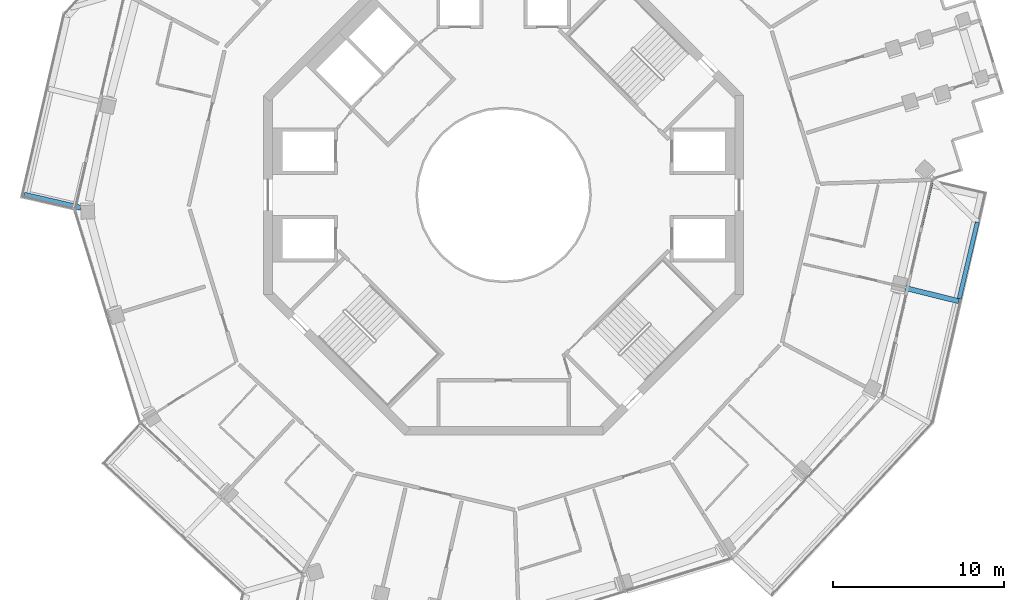
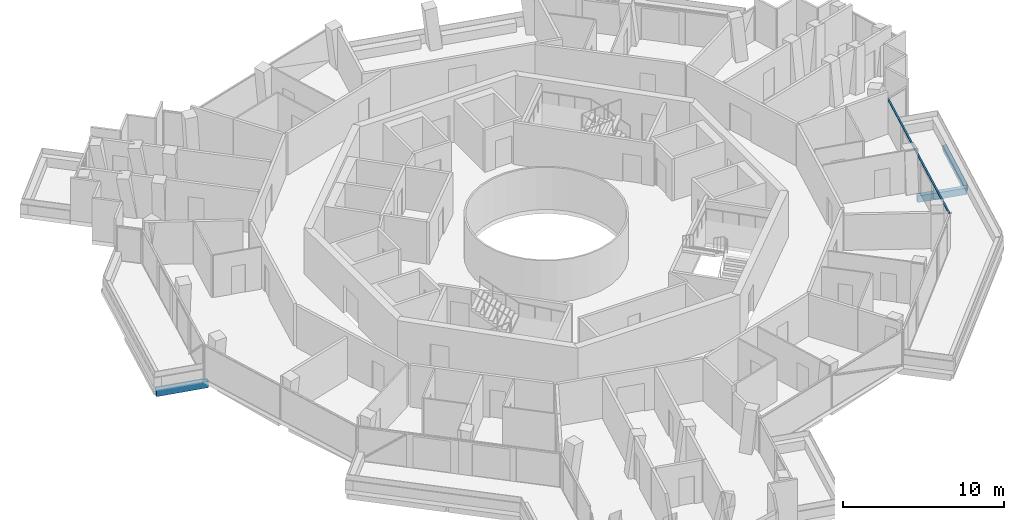
# One storey, part 5 of 21: 3 beams, 1 member, 1 element without a shape of its own.
"""IFC4 building model written with IfcOpenShell, lengths in metres."""

from ifc_helpers import new_model, si_unit, direction, frame, origin, origin_2d, place, context, subcontext, project, spatial, rectangle, extrude, material, layer, layer_set, material_profile, profile_set, type_object, element, aggregate, save


model = new_model("IFC4")

# Units and contexts
model_context = context("Model", 3, precision=1e-05, world=origin(), true_north=direction((0.0, 1.0)))
body_context = subcontext(model_context, "Body", "Model", "MODEL_VIEW")
ifc_project = project(units=[si_unit("LENGTHUNIT", "METRE"), si_unit("AREAUNIT", "SQUARE_METRE"), si_unit("VOLUMEUNIT", "CUBIC_METRE"), si_unit("PLANEANGLEUNIT", "RADIAN"), si_unit("MASSUNIT", "GRAM", prefix="KILO")], contexts=[model_context])

# Site, building, storey
site_placement = place(None, origin())
site = spatial("IfcSite", under=ifc_project, at=site_placement, CompositionType="ELEMENT")
building_placement = place(site_placement, origin())
building = spatial("IfcBuilding", under=site, at=building_placement, Name="Verdalira Terraces Hotel", CompositionType="ELEMENT")
storey_placement = place(building_placement, frame((0.0, 0.0, 227.0)))
storey = spatial("IfcBuildingStorey", under=building, at=storey_placement, Name="L55", CompositionType="ELEMENT", Elevation=227.0)

# Beams
ifc_material_1 = material(Name="Concrete C40", Category="concrete")
ifc_material_profile_1 = material_profile(ifc_material_1, rectangle(XDim=0.300049, YDim=0.5, at=origin_2d()), Name="RC 300X500")
ifc_profile_set_1 = profile_set([ifc_material_profile_1], Name="Concrete C40")
beam_type_1 = type_object("IfcBeamType", Name="Balcony cantilever beam RC 300X500 C40", PredefinedType="BEAM", material=ifc_profile_set_1)
beam_1_placement = place(storey_placement, frame((-24.673096, -0.746826, -0.560059), z_axis=(-0.974528524, 0.224263584, 0.0), x_axis=(-0.224263584, -0.974528524, 0.0)))
element("IfcBeam", 1, at=beam_1_placement, inside=storey, type_object=beam_type_1, Name="Balcony cantilever beam R10-2", PredefinedType="BEAM", context=body_context, shape_type="SweptSolid", body=[
    extrude(rectangle(XDim=0.300049, YDim=0.5, at=origin_2d()), origin(), (0.0, 0.0, 1.0), 3.381348),
])
beam_2_placement = place(storey_placement, frame((23.438232, -5.426025, -0.560059), z_axis=(0.9706296, -0.240578842, 0.0), x_axis=(0.240578842, 0.9706296, 0.0)))
element("IfcBeam", 2, at=beam_2_placement, inside=storey, type_object=beam_type_1, Name="Balcony cantilever beam R26-4", PredefinedType="BEAM", context=body_context, shape_type="SweptSolid", body=[
    extrude(rectangle(XDim=0.300049, YDim=0.5, at=origin_2d()), origin(), (0.0, 0.0, 1.0), 3.200684),
])
ifc_material_2 = material(Name="Concrete C40", Category="concrete")
ifc_material_profile_2 = material_profile(ifc_material_2, rectangle(XDim=0.25, YDim=0.449951, at=origin_2d()), Name="RC 250X450")
ifc_profile_set_2 = profile_set([ifc_material_profile_2], Name="Concrete C40")
beam_type_2 = type_object("IfcBeamType", Name="Balcony edge beam RC 250X450 C40", PredefinedType="BEAM", material=ifc_profile_set_2)
beam_3_placement = place(storey_placement, frame((26.57959, -6.050049, -0.534912), z_axis=(0.230122662, 0.973161631, 0.0), x_axis=(-0.973161631, 0.230122662, 0.0)))
element("IfcBeam", 3, at=beam_3_placement, inside=storey, type_object=beam_type_2, Name="Balcony edge beam R26-4", PredefinedType="BEAM", context=body_context, shape_type="SweptSolid", body=[
    extrude(rectangle(XDim=0.25, YDim=0.449951, at=origin_2d()), origin(), (0.0, 0.0, 1.0), 4.584229),
])

# Curtain wall, member
ifc_material_3 = material(Name="Clear glass", Category="glass")
ifc_layer = layer(ifc_material_3, 0.14990234375)
ifc_layer_set = layer_set([ifc_layer], Name="CW1 curtain wall")
curtain_wall_type = type_object("IfcCurtainWallType", Name="CW1 curtain wall", PredefinedType="NOTDEFINED", material=ifc_layer_set)
curtain_wall_placement = place(storey_placement, origin())
curtain_wall = element("IfcCurtainWall", 4, at=curtain_wall_placement, inside=storey, type_object=curtain_wall_type, Name="CW1 curtain wall L55 edge 27", PredefinedType="NOTDEFINED")
ifc_material_4 = material(Name="Terracotta frame", Category="masonry")
ifc_material_profile_3 = material_profile(ifc_material_4, rectangle(XDim=0.110107, YDim=0.064941, at=origin_2d()), Name="TR 65x110")
ifc_profile_set_3 = profile_set([ifc_material_profile_3], Name="Terracotta frame")
member_type = type_object("IfcMemberType", Name="CW1 transom 65x110", PredefinedType="USERDEFINED", material=ifc_profile_set_3)
member_placement = place(storey_placement, frame((22.118652, -11.71875, 2.557617), z_axis=(0.224270608, 0.974526908, 0.0), x_axis=(-0.974526908, 0.224270608, 0.0)))
member = element("IfcMember", 5, at=member_placement, type_object=member_type, Name="CW1 transom", ObjectType="TRANSOM", PredefinedType="USERDEFINED", context=body_context, shape_type="SweptSolid", body=[
    extrude(rectangle(XDim=0.110107, YDim=0.064941, at=origin_2d()), origin(), (0.0, 0.0, 1.0), 12.959717),
])
aggregate(curtain_wall, [member])

save(model, "model.ifc")
